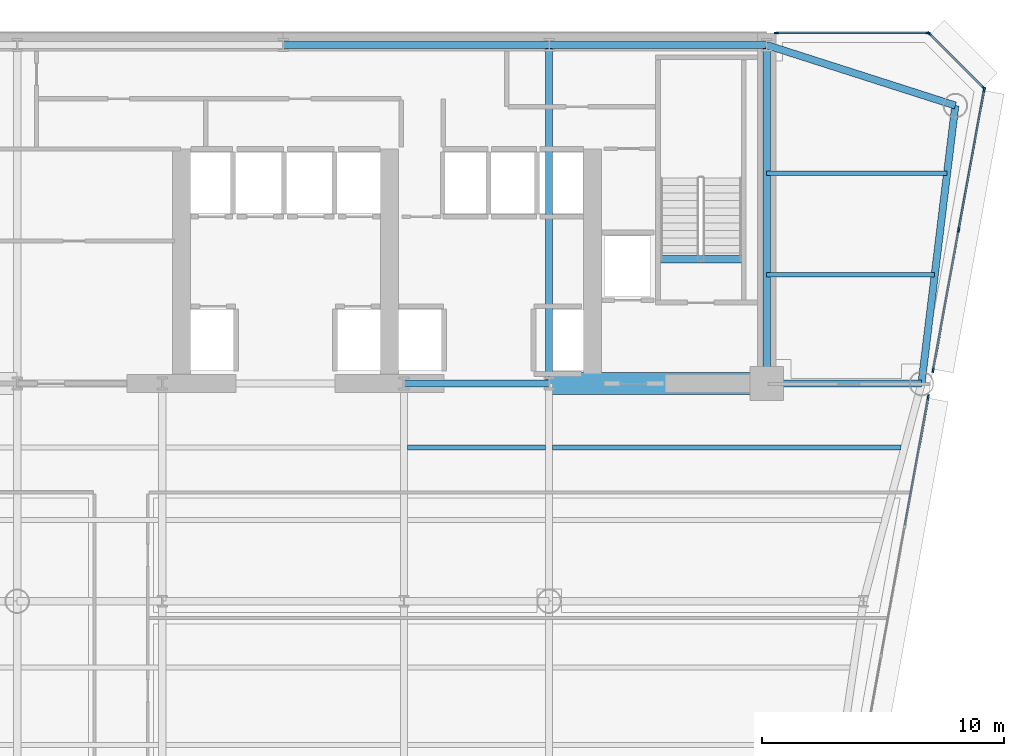
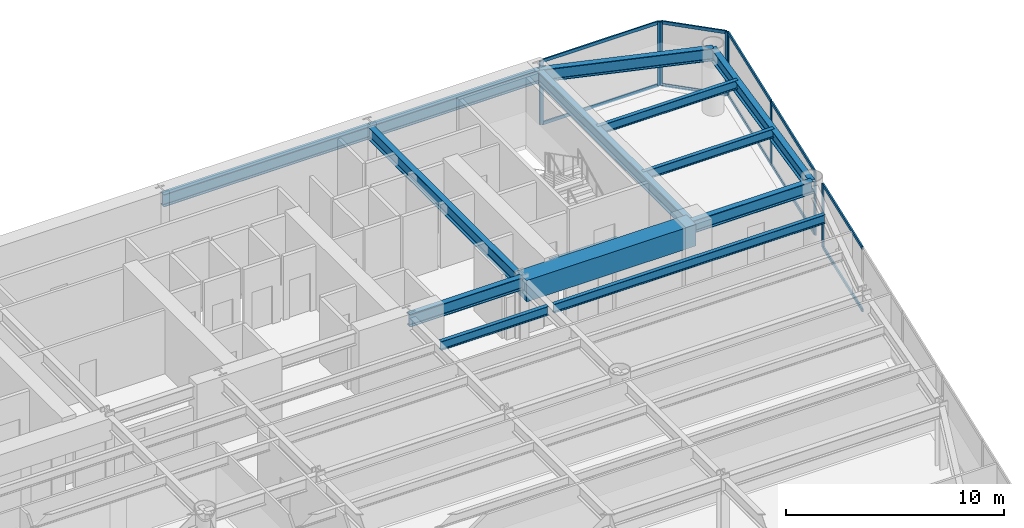
# One storey, part 6 of 14: 18 members, 14 beams, 4 elements without a shape of their own.
"""IFC4 building model written with IfcOpenShell, lengths in metres."""

from ifc_helpers import new_model, si_unit, direction, frame, origin, origin_2d, place, context, subcontext, project, spatial, rectangle, i_section, extrude, source, transform, mapped, material, layer, layer_set, material_profile, profile_set, type_object, element, aggregate, save


model = new_model("IFC4")

# Units and contexts
model_context = context("Model", 3, precision=1e-05, world=origin(), true_north=direction((0.0, 1.0)))
body_context = subcontext(model_context, "Body", "Model", "MODEL_VIEW")
ifc_project = project(units=[si_unit("LENGTHUNIT", "METRE"), si_unit("AREAUNIT", "SQUARE_METRE"), si_unit("VOLUMEUNIT", "CUBIC_METRE"), si_unit("PLANEANGLEUNIT", "RADIAN"), si_unit("MASSUNIT", "GRAM", prefix="KILO")], contexts=[model_context])

# Site, building, storey
site_placement = place(None, origin())
site = spatial("IfcSite", under=ifc_project, at=site_placement, CompositionType="ELEMENT")
building_placement = place(site_placement, origin())
building = spatial("IfcBuilding", under=site, at=building_placement, Name="Vaeldorn Concourse Tower", CompositionType="ELEMENT")
storey_placement = place(building_placement, frame((0.0, 0.0, 122.39990234375)))
storey = spatial("IfcBuildingStorey", under=building, at=storey_placement, Name="L31", CompositionType="ELEMENT", Elevation=122.39990234375)

# Beams
ifc_material_1 = material(Name="Concrete C60/75", Category="concrete")
ifc_material_profile_1 = material_profile(ifc_material_1, rectangle(XDim=0.89990234375, YDim=1.199951171875, at=origin_2d()), Name="RC 900x1200")
ifc_profile_set_1 = profile_set([ifc_material_profile_1], Name="Concrete C60/75")
beam_type_1 = type_object("IfcBeamType", Name="BM-CB-RC900", PredefinedType="BEAM", material=ifc_profile_set_1)
shared_shape_1 = source(origin(), body_context, "Body", "SweptSolid", [
    extrude(rectangle(XDim=0.89990234375, YDim=1.199951171875, at=origin_2d()), origin(), (0.0, 0.0, 1.0), 9.0),
])
beam_1_placement = place(storey_placement, frame((45.0, 36.5, 2.97998046875), z_axis=(1.0, 0.0, 0.0), x_axis=(0.0, 1.0, 0.0)))
element("IfcBeam", 1, at=beam_1_placement, inside=storey, type_object=beam_type_1, Name="Core Coupling Beam L31-2", PredefinedType="BEAM", context=body_context, shape_type="MappedRepresentation", body=[
    mapped(shared_shape_1, transform((0.0, 0.0, 0.0), scale=1.0)),
])
ifc_material_2 = material(Name="Steel S355", Category="steel")
ifc_material_profile_2 = material_profile(ifc_material_2, i_section(OverallWidth=0.300048828125, OverallDepth=0.340087890625, WebThickness=0.011962890625, FlangeThickness=0.021484375, FilletRadius=0.027099609375, at=origin_2d()), Name="HEB 340")
ifc_profile_set_2 = profile_set([ifc_material_profile_2], Name="Steel S355")
beam_type_2 = type_object("IfcBeamType", Name="BM-ST-TRIM", PredefinedType="BEAM", material=ifc_profile_set_2)
shared_shape_2 = source(origin(), body_context, "Body", "SweptSolid", [
    extrude(i_section(OverallWidth=0.300048828125, OverallDepth=0.340087890625, WebThickness=0.011962890625, FlangeThickness=0.021484375, FilletRadius=0.027099609375, at=origin_2d()), origin(), (0.0, 0.0, 1.0), 3.590087890625),
])
beam_2_placement = place(storey_placement, frame((49.47998046875, 41.639892578125, -0.389892578125), z_axis=(1.0, 0.0, 0.0), x_axis=(0.0, 1.0, 0.0)))
element("IfcBeam", 2, at=beam_2_placement, inside=storey, type_object=beam_type_2, Name="Stair Landing Trimmer Beam ST-2 L31", PredefinedType="BEAM", context=body_context, shape_type="MappedRepresentation", body=[
    mapped(shared_shape_2, transform((0.0, 0.0, 0.0), scale=1.0)),
])
ifc_material_profile_3 = material_profile(ifc_material_2, i_section(OverallWidth=0.199951171875, OverallDepth=0.5, WebThickness=0.01025390625, FlangeThickness=0.01611328125, FilletRadius=0.02099609375, at=origin_2d()), Name="IPE 500")
ifc_profile_set_3 = profile_set([ifc_material_profile_3], Name="Steel S355")
beam_type_3 = type_object("IfcBeamType", Name="BM-JS-IPE500", PredefinedType="JOIST", material=ifc_profile_set_3)
shared_shape_3 = source(origin(), body_context, "Body", "SweptSolid", [
    extrude(i_section(OverallWidth=0.199951171875, OverallDepth=0.5, WebThickness=0.01025390625, FlangeThickness=0.01611328125, FilletRadius=0.02099609375, at=origin_2d()), origin(), (0.0, 0.0, 1.0), 5.7001953125),
])
beam_3_placement = place(storey_placement, frame((39.14990234375, 33.860107421875, 3.330078125), z_axis=(1.0, 0.0, 0.0), x_axis=(0.0, 1.0, 0.0)))
element("IfcBeam", 3, at=beam_3_placement, inside=storey, type_object=beam_type_3, Name="Beam JS-L31-E2-338", PredefinedType="JOIST", context=body_context, shape_type="MappedRepresentation", body=[
    mapped(shared_shape_3, transform((0.0, 0.0, 0.0), scale=1.0)),
])
shared_shape_4 = source(origin(), body_context, "Body", "SweptSolid", [
    extrude(i_section(OverallWidth=0.199951171875, OverallDepth=0.5, WebThickness=0.01025390625, FlangeThickness=0.01611328125, FilletRadius=0.02099609375, at=origin_2d()), origin(), (0.0, 0.0, 1.0), 14.39599609375),
])
beam_4_placement = place(storey_placement, frame((45.14990234375, 33.860107421875, 3.330078125), z_axis=(1.0, 0.0, 0.0), x_axis=(0.0, 1.0, 0.0)))
element("IfcBeam", 4, at=beam_4_placement, inside=storey, type_object=beam_type_3, Name="Beam JS-L31-E1-338", PredefinedType="JOIST", context=body_context, shape_type="MappedRepresentation", body=[
    mapped(shared_shape_4, transform((0.0, 0.0, 0.0), scale=1.0)),
])
shared_shape_5 = source(origin(), body_context, "Body", "SweptSolid", [
    extrude(i_section(OverallWidth=0.199951171875, OverallDepth=0.5, WebThickness=0.01025390625, FlangeThickness=0.01611328125, FilletRadius=0.02099609375, at=origin_2d()), origin(), (0.0, 0.0, 1.0), 6.94775390625),
])
beam_5_placement = place(storey_placement, frame((54.0, 41.0, 3.330078125), z_axis=(1.0, 0.0, 0.0), x_axis=(0.0, 1.0, 0.0)))
element("IfcBeam", 5, at=beam_5_placement, inside=storey, type_object=beam_type_3, Name="Beam JS-L31-NE-410", PredefinedType="JOIST", context=body_context, shape_type="MappedRepresentation", body=[
    mapped(shared_shape_5, transform((0.0, 0.0, 0.0), scale=1.0)),
])
shared_shape_6 = source(origin(), body_context, "Body", "SweptSolid", [
    extrude(i_section(OverallWidth=0.199951171875, OverallDepth=0.5, WebThickness=0.01025390625, FlangeThickness=0.01611328125, FilletRadius=0.02099609375, at=origin_2d()), origin(), (0.0, 0.0, 1.0), 7.458984375),
])
beam_6_placement = place(storey_placement, frame((54.0, 45.199951171875, 3.330078125), z_axis=(1.0, 0.0, 0.0), x_axis=(0.0, 1.0, 0.0)))
element("IfcBeam", 6, at=beam_6_placement, inside=storey, type_object=beam_type_3, Name="Beam JS-L31-NE-452", PredefinedType="JOIST", context=body_context, shape_type="MappedRepresentation", body=[
    mapped(shared_shape_6, transform((0.0, 0.0, 0.0), scale=1.0)),
])
ifc_material_profile_4 = material_profile(ifc_material_2, i_section(OverallWidth=0.300048828125, OverallDepth=0.699951171875, WebThickness=0.01708984375, FlangeThickness=0.031982421875, FilletRadius=0.027099609375, at=origin_2d()), Name="HEB 700")
ifc_profile_set_4 = profile_set([ifc_material_profile_4], Name="Steel S355")
beam_type_4 = type_object("IfcBeamType", Name="BM-PG-HEB700", PredefinedType="BEAM", material=ifc_profile_set_4)
shared_shape_7 = source(origin(), body_context, "Body", "SweptSolid", [
    extrude(i_section(OverallWidth=0.300048828125, OverallDepth=0.699951171875, WebThickness=0.01708984375, FlangeThickness=0.031982421875, FilletRadius=0.027099609375, at=origin_2d()), origin(), (0.0, 0.0, 1.0), 6.0),
])
beam_7_placement = place(storey_placement, frame((39.0, 36.5, 3.22998046875), z_axis=(1.0, 0.0, 0.0), x_axis=(0.0, 1.0, 0.0)))
element("IfcBeam", 7, at=beam_7_placement, inside=storey, type_object=beam_type_4, Name="Beam BM-L31-C-FC4-C-FC5", PredefinedType="BEAM", context=body_context, shape_type="MappedRepresentation", body=[
    mapped(shared_shape_7, transform((0.0, 0.0, 0.0), scale=1.0)),
])
shared_shape_8 = source(origin(), body_context, "Body", "SweptSolid", [
    extrude(i_section(OverallWidth=0.300048828125, OverallDepth=0.699951171875, WebThickness=0.01708984375, FlangeThickness=0.031982421875, FilletRadius=0.027099609375, at=origin_2d()), origin(), (0.0, 0.0, 1.0), 9.0),
])
beam_8_placement = place(storey_placement, frame((45.0, 50.5, 3.22998046875), z_axis=(1.0, 0.0, 0.0), x_axis=(0.0, 1.0, 0.0)))
element("IfcBeam", 8, at=beam_8_placement, inside=storey, type_object=beam_type_4, Name="Beam BM-L31-C-HC4-C-HC5", PredefinedType="BEAM", context=body_context, shape_type="MappedRepresentation", body=[
    mapped(shared_shape_8, transform((0.0, 0.0, 0.0), scale=1.0)),
])
shared_shape_9 = source(origin(), body_context, "Body", "SweptSolid", [
    extrude(i_section(OverallWidth=0.300048828125, OverallDepth=0.699951171875, WebThickness=0.01708984375, FlangeThickness=0.031982421875, FilletRadius=0.027099609375, at=origin_2d()), origin(), (0.0, 0.0, 1.0), 11.0),
])
beam_9_placement = place(storey_placement, frame((34.0, 50.5, 3.22998046875), z_axis=(1.0, 0.0, 0.0), x_axis=(0.0, 1.0, 0.0)))
element("IfcBeam", 9, at=beam_9_placement, inside=storey, type_object=beam_type_4, Name="Beam BM-L31-C-HC3-C-HC4", PredefinedType="BEAM", context=body_context, shape_type="MappedRepresentation", body=[
    mapped(shared_shape_9, transform((0.0, 0.0, 0.0), scale=1.0)),
])
shared_shape_10 = source(origin(), body_context, "Body", "SweptSolid", [
    extrude(i_section(OverallWidth=0.300048828125, OverallDepth=0.699951171875, WebThickness=0.01708984375, FlangeThickness=0.031982421875, FilletRadius=0.027099609375, at=origin_2d()), origin(), (0.0, 0.0, 1.0), 14.0),
])
for number, where, z_axis, x_axis, name in (
    (10, (45.0, 36.5, 3.22998046875), (0.0, 1.0, 0.0), (-1.0, 0.0, 0.0), "Beam BM-L31-C-FC5-C-HC4"),
    (11, (54.0, 36.5, 3.22998046875), (0.0, 1.0, 0.0), (-1.0, 0.0, 0.0), "Beam BM-L31-C-FC6-C-HC5"),
):
    element("IfcBeam", number, at=place(storey_placement, frame(where, z_axis=z_axis, x_axis=x_axis)), inside=storey, type_object=beam_type_4, Name=name, PredefinedType="BEAM", context=body_context, shape_type="MappedRepresentation", body=[
        mapped(shared_shape_10, transform((0.0, 0.0, 0.0), scale=1.0)),
    ])
shared_shape_11 = source(origin(), body_context, "Body", "SweptSolid", [
    extrude(i_section(OverallWidth=0.300048828125, OverallDepth=0.699951171875, WebThickness=0.01708984375, FlangeThickness=0.031982421875, FilletRadius=0.027099609375, at=origin_2d()), origin(), (0.0, 0.0, 1.0), 8.19091796875),
])
beam_10_placement = place(storey_placement, frame((54.0, 50.5, 3.22998046875), z_axis=(0.952282843383, -0.305216949396, 0.0), x_axis=(0.305216949396, 0.952282843383, 0.0)))
element("IfcBeam", 12, at=beam_10_placement, inside=storey, type_object=beam_type_4, Name="Beam BM-L31-C-HC5-C-NE1", PredefinedType="BEAM", context=body_context, shape_type="MappedRepresentation", body=[
    mapped(shared_shape_11, transform((0.0, 0.0, 0.0), scale=1.0)),
])
shared_shape_12 = source(origin(), body_context, "Body", "SweptSolid", [
    extrude(i_section(OverallWidth=0.300048828125, OverallDepth=0.699951171875, WebThickness=0.01708984375, FlangeThickness=0.031982421875, FilletRadius=0.027099609375, at=origin_2d()), origin(), (0.0, 0.0, 1.0), 11.5849609375),
])
beam_11_placement = place(storey_placement, frame((61.800048828125, 48.0, 3.22998046875), z_axis=(-0.120859382899, -0.992669637677, 0.0), x_axis=(0.992669637677, -0.120859382899, 0.0)))
element("IfcBeam", 13, at=beam_11_placement, inside=storey, type_object=beam_type_4, Name="Beam BM-L31-C-NE1-C-NE2", PredefinedType="BEAM", context=body_context, shape_type="MappedRepresentation", body=[
    mapped(shared_shape_12, transform((0.0, 0.0, 0.0), scale=1.0)),
])
shared_shape_13 = source(origin(), body_context, "Body", "SweptSolid", [
    extrude(i_section(OverallWidth=0.300048828125, OverallDepth=0.699951171875, WebThickness=0.01708984375, FlangeThickness=0.031982421875, FilletRadius=0.027099609375, at=origin_2d()), origin(), (0.0, 0.0, 1.0), 6.39990234375),
])
beam_12_placement = place(storey_placement, frame((54.0, 36.5, 3.22998046875), z_axis=(1.0, 0.0, 0.0), x_axis=(0.0, 1.0, 0.0)))
element("IfcBeam", 14, at=beam_12_placement, inside=storey, type_object=beam_type_4, Name="Beam BM-L31-C-FC6-C-NE2", PredefinedType="BEAM", context=body_context, shape_type="MappedRepresentation", body=[
    mapped(shared_shape_13, transform((0.0, 0.0, 0.0), scale=1.0)),
])

# Curtain wall, members
ifc_material_3 = material(Name="Anodised Bronze Aluminium", Category="aluminium")
ifc_layer = layer(ifc_material_3, 0.199951171875)
ifc_layer_set = layer_set([ifc_layer], Name="Anodised Bronze Aluminium")
curtain_wall_type = type_object("IfcCurtainWallType", Name="CW-SYS-02", PredefinedType="NOTDEFINED", material=ifc_layer_set)
curtain_wall_1_placement = place(storey_placement, origin())
curtain_wall_1 = element("IfcCurtainWall", 15, at=curtain_wall_1_placement, inside=storey, type_object=curtain_wall_type, Name="Unitised Curtain Wall CW-L31-E08-1", PredefinedType="NOTDEFINED")
ifc_material_profile_5 = material_profile(ifc_material_3, rectangle(XDim=0.074951171875, YDim=0.179931640625, at=origin_2d()), Name="CWT 75x180")
ifc_profile_set_5 = profile_set([ifc_material_profile_5], Name="Anodised Bronze Aluminium")
member_type_1 = type_object("IfcMemberType", Name="CWT-BRONZE-180", PredefinedType="USERDEFINED", material=ifc_profile_set_5)
shared_shape_14 = source(origin(), body_context, "Body", "SweptSolid", [
    extrude(rectangle(XDim=0.074951171875, YDim=0.179931640625, at=origin_2d()), origin(), (0.0, 0.0, 1.0), 3.10302734375),
])
member_1_placement = place(storey_placement, frame((62.947021484375, 48.7529296875, 0.03759765625), z_axis=(-0.707106781187, 0.707106781187, 0.0), x_axis=(-0.707106781187, -0.707106781187, 0.0)))
member_1 = element("IfcMember", 16, at=member_1_placement, type_object=member_type_1, Name="CW-02 transom 1.1", ObjectType="TRANSOM", PredefinedType="USERDEFINED", context=body_context, shape_type="MappedRepresentation", body=[
    mapped(shared_shape_14, transform((0.0, 0.0, 0.0), scale=1.0)),
])
member_2_placement = place(storey_placement, frame((62.947021484375, 48.7529296875, 3.54248046875), z_axis=(-0.707106781187, 0.707106781187, 0.0), x_axis=(-0.707106781187, -0.707106781187, 0.0)))
member_2 = element("IfcMember", 17, at=member_2_placement, type_object=member_type_1, Name="CW-02 transom 1.2", ObjectType="TRANSOM", PredefinedType="USERDEFINED", context=body_context, shape_type="MappedRepresentation", body=[
    mapped(shared_shape_14, transform((0.0, 0.0, 0.0), scale=1.0)),
])

# Curtain wall, member
curtain_wall_2_placement = place(storey_placement, origin())
curtain_wall_2 = element("IfcCurtainWall", 18, at=curtain_wall_2_placement, inside=storey, type_object=curtain_wall_type, Name="Unitised Curtain Wall CW-L31-E07-1", PredefinedType="NOTDEFINED")
ifc_material_profile_6 = material_profile(ifc_material_3, rectangle(XDim=0.074951171875, YDim=0.18994140625, at=origin_2d()), Name="CWM 75x190")
ifc_profile_set_6 = profile_set([ifc_material_profile_6], Name="Anodised Bronze Aluminium")
member_type_2 = type_object("IfcMemberType", Name="CWM-BRONZE-190", PredefinedType="MULLION", material=ifc_profile_set_6)
shared_shape_15 = source(origin(), body_context, "Body", "SweptSolid", [
    extrude(rectangle(XDim=0.074951171875, YDim=0.18994140625, at=origin_2d()), origin(), (0.0, 0.0, 1.0), 3.580078125),
])
member_3_placement = place(storey_placement, frame((60.68017578125, 35.945068359375, 0.0), z_axis=(0.0, 0.0, 1.0), x_axis=(-0.983859071278, 0.178945041465, 0.0)))
member_3 = element("IfcMember", 19, at=member_3_placement, type_object=member_type_2, Name="CW-02 mullion 7", PredefinedType="MULLION", context=body_context, shape_type="MappedRepresentation", body=[
    mapped(shared_shape_15, transform((0.0, 0.0, 0.0), scale=1.0)),
])

# Curtain wall, members
curtain_wall_3_placement = place(storey_placement, origin())
curtain_wall_3 = element("IfcCurtainWall", 20, at=curtain_wall_3_placement, inside=storey, type_object=curtain_wall_type, Name="Unitised Curtain Wall CW-L31-E07-2", PredefinedType="NOTDEFINED")
member_4_placement = place(storey_placement, frame((60.882080078125, 37.054931640625, 0.0), z_axis=(0.0, 0.0, 1.0), x_axis=(-0.983859532524, 0.178942505462, 0.0)))
member_4 = element("IfcMember", 21, at=member_4_placement, type_object=member_type_2, Name="CW-02 mullion 1", PredefinedType="MULLION", context=body_context, shape_type="MappedRepresentation", body=[
    mapped(shared_shape_15, transform((0.0, 0.0, 0.0), scale=1.0)),
])
member_5_placement = place(storey_placement, frame((61.937744140625, 42.85888671875, 0.0), z_axis=(0.0, 0.0, 1.0), x_axis=(-0.983859532524, 0.178942505462, 0.0)))
member_5 = element("IfcMember", 22, at=member_5_placement, type_object=member_type_2, Name="CW-02 mullion 2", PredefinedType="MULLION", context=body_context, shape_type="MappedRepresentation", body=[
    mapped(shared_shape_15, transform((0.0, 0.0, 0.0), scale=1.0)),
])
member_6_placement = place(storey_placement, frame((62.993408203125, 48.6630859375, 0.0), z_axis=(0.0, 0.0, 1.0), x_axis=(-0.983859532524, 0.178942505462, 0.0)))
member_6 = element("IfcMember", 23, at=member_6_placement, type_object=member_type_2, Name="CW-02 mullion 3", PredefinedType="MULLION", context=body_context, shape_type="MappedRepresentation", body=[
    mapped(shared_shape_15, transform((0.0, 0.0, 0.0), scale=1.0)),
])

# Member
member_7_placement = place(storey_placement, frame((62.973388671875, 48.7265625, 0.0), z_axis=(0.0, 0.0, 1.0), x_axis=(-0.707106781187, -0.707106781187, 0.0)))
member_7 = element("IfcMember", 24, at=member_7_placement, type_object=member_type_2, Name="CW-02 mullion 1", PredefinedType="MULLION", context=body_context, shape_type="MappedRepresentation", body=[
    mapped(shared_shape_15, transform((0.0, 0.0, 0.0), scale=1.0)),
])

member_8_placement = place(storey_placement, frame((60.7265625, 50.973388671875, 0.0), z_axis=(0.0, 0.0, 1.0), x_axis=(-0.707106781187, -0.707106781187, 0.0)))
member_8 = element("IfcMember", 25, at=member_8_placement, type_object=member_type_2, Name="CW-02 mullion 2", PredefinedType="MULLION", context=body_context, shape_type="MappedRepresentation", body=[
    mapped(shared_shape_15, transform((0.0, 0.0, 0.0), scale=1.0)),
])

aggregate(curtain_wall_1, [member_7, member_8, member_1, member_2])

# Curtain wall, members
curtain_wall_4_placement = place(storey_placement, origin())
curtain_wall_4 = element("IfcCurtainWall", 26, at=curtain_wall_4_placement, inside=storey, type_object=curtain_wall_type, Name="Unitised Curtain Wall CW-L31-E09-1", PredefinedType="NOTDEFINED")
member_9_placement = place(storey_placement, frame((60.66259765625, 51.0, 0.0), z_axis=(0.0, 0.0, 1.0), x_axis=(0.0, -1.0, 0.0)))
member_9 = element("IfcMember", 27, at=member_9_placement, type_object=member_type_2, Name="CW-02 mullion 1", PredefinedType="MULLION", context=body_context, shape_type="MappedRepresentation", body=[
    mapped(shared_shape_15, transform((0.0, 0.0, 0.0), scale=1.0)),
])
member_10_placement = place(storey_placement, frame((54.407470703125, 51.0, 0.0), z_axis=(0.0, 0.0, 1.0), x_axis=(0.0, -1.0, 0.0)))
member_10 = element("IfcMember", 28, at=member_10_placement, type_object=member_type_2, Name="CW-02 mullion 2", PredefinedType="MULLION", context=body_context, shape_type="MappedRepresentation", body=[
    mapped(shared_shape_15, transform((0.0, 0.0, 0.0), scale=1.0)),
])
shared_shape_16 = source(origin(), body_context, "Body", "SweptSolid", [
    extrude(rectangle(XDim=0.074951171875, YDim=0.179931640625, at=origin_2d()), origin(), (0.0, 0.0, 1.0), 6.179931640625),
])
member_11_placement = place(storey_placement, frame((60.625, 51.0, 0.03759765625), z_axis=(-1.0, 0.0, 0.0), x_axis=(0.0, -1.0, 0.0)))
member_11 = element("IfcMember", 29, at=member_11_placement, type_object=member_type_1, Name="CW-02 transom 1.1", ObjectType="TRANSOM", PredefinedType="USERDEFINED", context=body_context, shape_type="MappedRepresentation", body=[
    mapped(shared_shape_16, transform((0.0, 0.0, 0.0), scale=1.0)),
])
member_12_placement = place(storey_placement, frame((60.625, 51.0, 3.54248046875), z_axis=(-1.0, 0.0, 0.0), x_axis=(0.0, -1.0, 0.0)))
member_12 = element("IfcMember", 30, at=member_12_placement, type_object=member_type_1, Name="CW-02 transom 1.2", ObjectType="TRANSOM", PredefinedType="USERDEFINED", context=body_context, shape_type="MappedRepresentation", body=[
    mapped(shared_shape_16, transform((0.0, 0.0, 0.0), scale=1.0)),
])
aggregate(curtain_wall_4, [member_9, member_10, member_11, member_12])

# Member
shared_shape_17 = source(origin(), body_context, "Body", "SweptSolid", [
    extrude(rectangle(XDim=0.074951171875, YDim=0.179931640625, at=origin_2d()), origin(), (0.0, 0.0, 1.0), 5.82421875),
])
member_13_placement = place(storey_placement, frame((60.888671875, 37.091796875, 0.03759765625), z_axis=(0.178948147237, 0.983858506392, 0.0), x_axis=(-0.983858506392, 0.178948147237, 0.0)))
member_13 = element("IfcMember", 31, at=member_13_placement, type_object=member_type_1, Name="CW-02 transom 1.1", ObjectType="TRANSOM", PredefinedType="USERDEFINED", context=body_context, shape_type="MappedRepresentation", body=[
    mapped(shared_shape_17, transform((0.0, 0.0, 0.0), scale=1.0)),
])

member_14_placement = place(storey_placement, frame((60.888671875, 37.091796875, 3.54248046875), z_axis=(0.178948147237, 0.983858506392, 0.0), x_axis=(-0.983858506392, 0.178948147237, 0.0)))
member_14 = element("IfcMember", 32, at=member_14_placement, type_object=member_type_1, Name="CW-02 transom 1.2", ObjectType="TRANSOM", PredefinedType="USERDEFINED", context=body_context, shape_type="MappedRepresentation", body=[
    mapped(shared_shape_17, transform((0.0, 0.0, 0.0), scale=1.0)),
])

member_15_placement = place(storey_placement, frame((61.9443359375, 42.89599609375, 0.03759765625), z_axis=(0.178948147237, 0.983858506392, 0.0), x_axis=(-0.983858506392, 0.178948147237, 0.0)))
member_15 = element("IfcMember", 33, at=member_15_placement, type_object=member_type_1, Name="CW-02 transom 2.1", ObjectType="TRANSOM", PredefinedType="USERDEFINED", context=body_context, shape_type="MappedRepresentation", body=[
    mapped(shared_shape_17, transform((0.0, 0.0, 0.0), scale=1.0)),
])

member_16_placement = place(storey_placement, frame((61.9443359375, 42.89599609375, 3.54248046875), z_axis=(0.178948147237, 0.983858506392, 0.0), x_axis=(-0.983858506392, 0.178948147237, 0.0)))
member_16 = element("IfcMember", 34, at=member_16_placement, type_object=member_type_1, Name="CW-02 transom 2.2", ObjectType="TRANSOM", PredefinedType="USERDEFINED", context=body_context, shape_type="MappedRepresentation", body=[
    mapped(shared_shape_17, transform((0.0, 0.0, 0.0), scale=1.0)),
])

aggregate(curtain_wall_3, [member_4, member_5, member_6, member_13, member_14, member_15, member_16])

shared_shape_18 = source(origin(), body_context, "Body", "SweptSolid", [
    extrude(rectangle(XDim=0.074951171875, YDim=0.179931640625, at=origin_2d()), origin(), (0.0, 0.0, 1.0), 5.350341796875),
])
member_17_placement = place(storey_placement, frame((59.716064453125, 30.644287109375, 0.03759765625), z_axis=(0.178965748598, 0.983855304823, 0.0), x_axis=(-0.983855304823, 0.178965748598, 0.0)))
member_17 = element("IfcMember", 35, at=member_17_placement, type_object=member_type_1, Name="CW-02 transom 6.1", ObjectType="TRANSOM", PredefinedType="USERDEFINED", context=body_context, shape_type="MappedRepresentation", body=[
    mapped(shared_shape_18, transform((0.0, 0.0, 0.0), scale=1.0)),
])

member_18_placement = place(storey_placement, frame((59.716064453125, 30.644287109375, 3.54248046875), z_axis=(0.178965748598, 0.983855304823, 0.0), x_axis=(-0.983855304823, 0.178965748598, 0.0)))
member_18 = element("IfcMember", 36, at=member_18_placement, type_object=member_type_1, Name="CW-02 transom 6.2", ObjectType="TRANSOM", PredefinedType="USERDEFINED", context=body_context, shape_type="MappedRepresentation", body=[
    mapped(shared_shape_18, transform((0.0, 0.0, 0.0), scale=1.0)),
])

aggregate(curtain_wall_2, [member_3, member_17, member_18])

save(model, "model.ifc")
